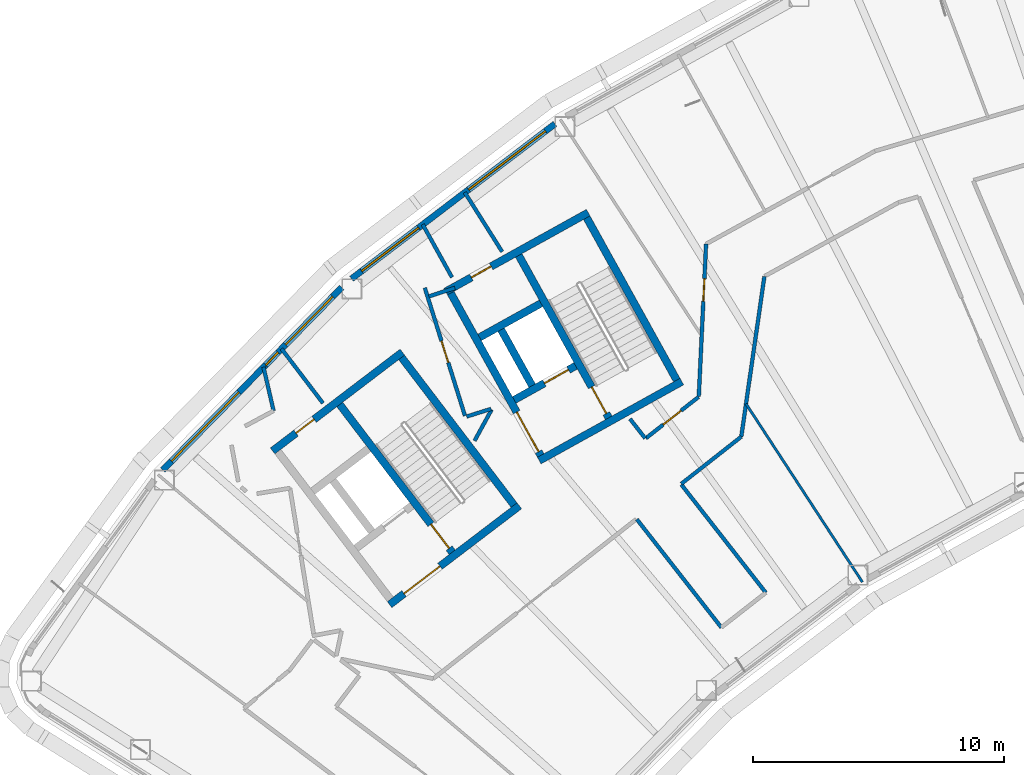
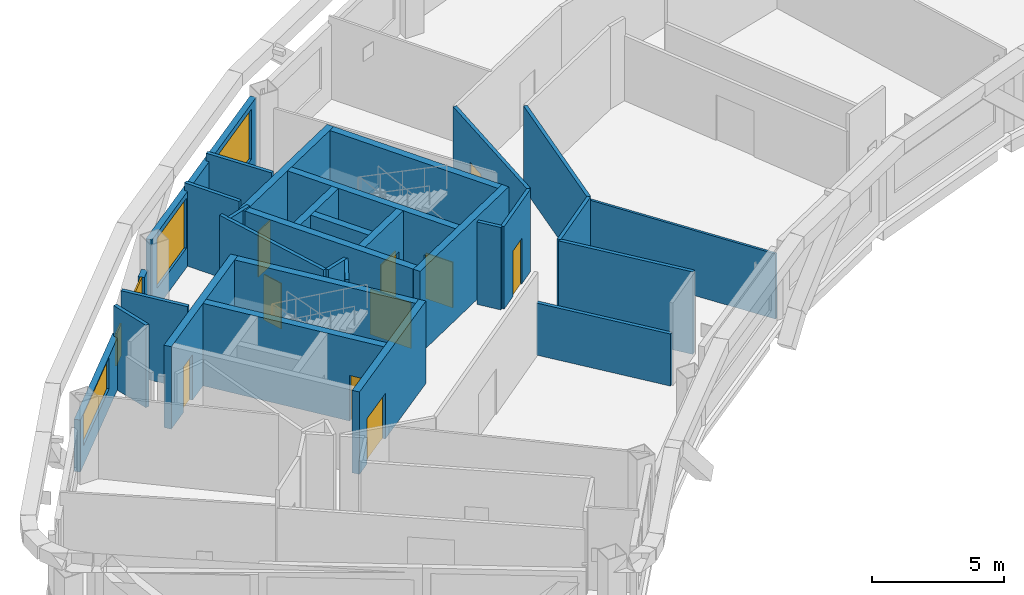
# One storey, part 6 of 21: 30 walls, 10 doors, 5 windows, 15 openings.
"""IFC4 building model written with IfcOpenShell, lengths in metres."""

from ifc_helpers import new_model, si_unit, direction, frame, frame_2d, origin, place, context, subcontext, project, spatial, rectangle, extrude, material, layer, layer_set, type_object, element, fill, save


model = new_model("IFC4")

# Units and contexts
model_context = context("Model", 3, precision=1e-05, world=origin(), true_north=direction((0.0, 1.0)))
body_context = subcontext(model_context, "Body", "Model", "MODEL_VIEW")
ifc_project = project(units=[si_unit("LENGTHUNIT", "METRE"), si_unit("AREAUNIT", "SQUARE_METRE"), si_unit("VOLUMEUNIT", "CUBIC_METRE"), si_unit("PLANEANGLEUNIT", "RADIAN"), si_unit("MASSUNIT", "GRAM", prefix="KILO")], contexts=[model_context])

# Site, building, storey
site_placement = place(None, origin())
site = spatial("IfcSite", under=ifc_project, at=site_placement, CompositionType="ELEMENT")
building_placement = place(site_placement, origin())
building = spatial("IfcBuilding", under=site, at=building_placement, Name="Tuul Gate Civic Tower", CompositionType="ELEMENT")
storey_placement = place(building_placement, frame((0.0, 0.0, 273.60009765625)))
storey = spatial("IfcBuildingStorey", under=building, at=storey_placement, Name="Level 62", CompositionType="ELEMENT", Elevation=273.60009765625)

# Wall, opening, door
ifc_material_1 = material(Name="Concrete C50/60", Category="concrete")
ifc_layer_1 = layer(ifc_material_1, 0.300048828125)
ifc_layer_set_1 = layer_set([ifc_layer_1], Name="Concrete C50/60")
wall_type_1 = type_object("IfcWallType", Name="Core wall C50/60", PredefinedType="SHEAR", material=ifc_layer_set_1)
wall_1_placement = place(storey_placement, frame((-31.19091796875, -13.669677734375, 0.0), z_axis=(0.0, 0.0, 1.0), x_axis=(-0.795606717756, -0.605813461934, 0.0)))
wall_1 = element("IfcWall", 1, at=wall_1_placement, inside=storey, type_object=wall_type_1, Name="Core wall", PredefinedType="SHEAR", context=body_context, shape_type="SweptSolid", body=[
    extrude(rectangle(XDim=6.5, YDim=0.300048828125, at=frame_2d((3.25, 0.0))), origin(), (0.0, 0.0, 1.0), 3.7998046875),
])
opening_1_placement = place(wall_1_placement, frame((3.97509765625, 0.0, 0.0)))
opening_1 = element("IfcOpeningElement", 2, at=opening_1_placement, cuts=wall_1, Name="Opening LB-W1-LOBBY-1", PredefinedType="OPENING", context=body_context, shape_type="SweptSolid", body=[
    extrude(rectangle(XDim=1.800048828125, YDim=2.10009765625, at=frame_2d((0.89990234375, 1.050048828125))), frame((0.0, 0.16015625, 0.0), z_axis=(0.0, -1.0, 0.0), x_axis=(1.0, 0.0, 0.0)), (0.0, 0.0, 1.0), 0.320068359375),
])
ifc_material_2 = material(Name="Steel", Category="steel")
door_type_1 = type_object("IfcDoorType", Name="Lobby door", OperationType="DOUBLE_DOOR_SINGLE_SWING", PredefinedType="DOOR", material=ifc_material_2)
door_1_placement = place(opening_1_placement, origin())
door_1 = element("IfcDoor", 3, at=door_1_placement, inside=storey, type_object=door_type_1, Name="Lobby door W1-LOBBY", OperationType="DOUBLE_DOOR_SINGLE_SWING", OverallHeight=2.10009765625, OverallWidth=1.800048828125, PredefinedType="DOOR", context=body_context, shape_type="SweptSolid", body=[
    extrude(rectangle(XDim=1.800048828125, YDim=2.10009765625, at=frame_2d((0.89990234375, 1.050048828125))), frame((0.0, 0.02490234375, 0.0), z_axis=(0.0, -1.0, 0.0), x_axis=(1.0, 0.0, 0.0)), (0.0, 0.0, 1.0), 0.050048828125),
])
fill(opening_1, door_1)

wall_2_placement = place(storey_placement, frame((-35.855224609375, -7.543212890625, 0.0), z_axis=(0.0, 0.0, 1.0), x_axis=(-0.79563860527, -0.605771582202, 0.0)))
wall_2 = element("IfcWall", 4, at=wall_2_placement, inside=storey, type_object=wall_type_1, Name="Core wall", PredefinedType="SHEAR", context=body_context, shape_type="SweptSolid", body=[
    extrude(rectangle(XDim=6.5, YDim=0.300048828125, at=frame_2d((3.25, 0.0))), origin(), (0.0, 0.0, 1.0), 3.7998046875),
])
opening_2_placement = place(wall_2_placement, frame((4.425048828125, 0.0, 0.0)))
opening_2 = element("IfcOpeningElement", 5, at=opening_2_placement, cuts=wall_2, Name="Opening W-D33", PredefinedType="OPENING", context=body_context, shape_type="SweptSolid", body=[
    extrude(rectangle(XDim=0.89990234375, YDim=2.10009765625, at=frame_2d((0.449951171875, 1.050048828125))), frame((0.0, 0.16015625, 0.0), z_axis=(0.0, -1.0, 0.0), x_axis=(1.0, 0.0, 0.0)), (0.0, 0.0, 1.0), 0.320068359375),
])
ifc_material_3 = material(Name="Timber door leaf", Category="wood")
door_type_2 = type_object("IfcDoorType", Name="Door D09", OperationType="NOTDEFINED", PredefinedType="DOOR", material=ifc_material_3)
door_2_placement = place(opening_2_placement, origin())
door_2 = element("IfcDoor", 6, at=door_2_placement, inside=storey, type_object=door_type_2, Name="Door W-D33", OperationType="SINGLE_SWING_LEFT", OverallHeight=2.10009765625, OverallWidth=0.89990234375, PredefinedType="DOOR", context=body_context, shape_type="SweptSolid", body=[
    extrude(rectangle(XDim=0.89990234375, YDim=2.10009765625, at=frame_2d((0.449951171875, 1.050048828125))), frame((0.0, 0.02490234375, 0.0), z_axis=(0.0, -1.0, 0.0), x_axis=(1.0, 0.0, 0.0)), (0.0, 0.0, 1.0), 0.050048828125),
])
fill(opening_2, door_2)

# Wall
wall_3_placement = place(storey_placement, frame((-31.401123046875, -13.64111328125, 0.0), z_axis=(0.0, 0.0, 1.0), x_axis=(-0.605769822278, 0.795639945213, 0.0)))
element("IfcWall", 7, at=wall_3_placement, inside=storey, type_object=wall_type_1, Name="Core wall", PredefinedType="SHEAR", context=body_context, shape_type="SweptSolid", body=[
    extrude(rectangle(XDim=7.39990234375, YDim=0.300048828125, at=frame_2d((3.699951171875, 0.0))), origin(), (0.0, 0.0, 1.0), 3.7998046875),
])

# Wall, opening, door
wall_4_placement = place(storey_placement, frame((-33.867431640625, -15.51904296875, 0.0), z_axis=(0.0, 0.0, 1.0), x_axis=(-0.605769822278, 0.795639945213, 0.0)))
wall_4 = element("IfcWall", 8, at=wall_4_placement, inside=storey, type_object=wall_type_1, Name="Core wall", PredefinedType="SHEAR", context=body_context, shape_type="SweptSolid", body=[
    extrude(rectangle(XDim=7.39990234375, YDim=0.300048828125, at=frame_2d((3.699951171875, 0.0))), origin(), (0.0, 0.0, 1.0), 3.7998046875),
])
opening_3_placement = place(wall_4_placement, frame((0.199951171875, 0.0, 0.0)))
opening_3 = element("IfcOpeningElement", 9, at=opening_3_placement, cuts=wall_4, Name="Opening SD-ST-1", PredefinedType="OPENING", context=body_context, shape_type="SweptSolid", body=[
    extrude(rectangle(XDim=1.199951171875, YDim=2.10009765625, at=frame_2d((0.60009765625, 1.050048828125))), frame((0.0, 0.16015625, 0.0), z_axis=(0.0, -1.0, 0.0), x_axis=(1.0, 0.0, 0.0)), (0.0, 0.0, 1.0), 0.320068359375),
])
ifc_material_4 = material(Name="Steel", Category="steel")
door_type_3 = type_object("IfcDoorType", Name="Stair door", OperationType="NOTDEFINED", PredefinedType="DOOR", material=ifc_material_4)
door_3_placement = place(opening_3_placement, origin())
door_3 = element("IfcDoor", 10, at=door_3_placement, inside=storey, type_object=door_type_3, Name="Stair door ST-1", OperationType="SINGLE_SWING_LEFT", OverallHeight=2.10009765625, OverallWidth=1.199951171875, PredefinedType="DOOR", context=body_context, shape_type="SweptSolid", body=[
    extrude(rectangle(XDim=1.199951171875, YDim=2.10009765625, at=frame_2d((0.60009765625, 1.050048828125))), frame((0.0, 0.02490234375, 0.0), z_axis=(0.0, -1.0, 0.0), x_axis=(1.0, 0.0, 0.0)), (0.0, 0.0, 1.0), 0.050048828125),
])
fill(opening_3, door_3)

# Wall
wall_5_placement = place(storey_placement, frame((-24.711669921875, -8.7158203125, 0.0), z_axis=(0.0, 0.0, 1.0), x_axis=(-0.874629909008, -0.484791215132, 0.0)))
element("IfcWall", 11, at=wall_5_placement, inside=storey, type_object=wall_type_1, Name="Core wall", PredefinedType="SHEAR", context=body_context, shape_type="SweptSolid", body=[
    extrude(rectangle(XDim=6.5, YDim=0.300048828125, at=frame_2d((3.25, 0.0))), origin(), (0.0, 0.0, 1.0), 3.7998046875),
])

# Wall, opening, door
wall_6_placement = place(storey_placement, frame((-28.94580078125, -8.090087890625, 0.0), z_axis=(0.0, 0.0, 1.0), x_axis=(-0.874629840737, -0.484791338301, 0.0)))
wall_6 = element("IfcWall", 12, at=wall_6_placement, inside=storey, type_object=wall_type_1, Name="Core wall", PredefinedType="SHEAR", context=body_context, shape_type="SweptSolid", body=[
    extrude(rectangle(XDim=2.800048828125, YDim=0.300048828125, at=frame_2d((1.39990234375, 0.0))), origin(), (0.0, 0.0, 1.0), 3.7998046875),
])
opening_4_placement = place(wall_6_placement, frame((0.324951171875, 0.0, 0.0)))
opening_4 = element("IfcOpeningElement", 13, at=opening_4_placement, cuts=wall_6, Name="Opening LD-FF-1", PredefinedType="OPENING", context=body_context, shape_type="SweptSolid", body=[
    extrude(rectangle(XDim=1.10009765625, YDim=2.10009765625, at=frame_2d((0.550048828125, 1.050048828125))), frame((0.0, 0.16015625, 0.0), z_axis=(0.0, -1.0, 0.0), x_axis=(1.0, 0.0, 0.0)), (0.0, 0.0, 1.0), 0.320068359375),
])
ifc_material_5 = material(Name="Stainless steel", Category="steel")
door_type_4 = type_object("IfcDoorType", Name="Landing door", OperationType="DOUBLE_DOOR_SLIDING", PredefinedType="DOOR", material=ifc_material_5)
door_4_placement = place(opening_4_placement, origin())
door_4 = element("IfcDoor", 14, at=door_4_placement, inside=storey, type_object=door_type_4, Name="Fire-fighting lift FF-1 landing door", OperationType="DOUBLE_DOOR_SLIDING", OverallHeight=2.10009765625, OverallWidth=1.10009765625, PredefinedType="DOOR", context=body_context, shape_type="SweptSolid", body=[
    extrude(rectangle(XDim=1.10009765625, YDim=2.10009765625, at=frame_2d((0.550048828125, 1.050048828125))), frame((0.0, 0.02490234375, 0.0), z_axis=(0.0, -1.0, 0.0), x_axis=(1.0, 0.0, 0.0)), (0.0, 0.0, 1.0), 0.050048828125),
])
fill(opening_4, door_4)

# Wall
wall_7_placement = place(storey_placement, frame((-30.327392578125, -5.59716796875, 0.0), z_axis=(0.0, 0.0, 1.0), x_axis=(-0.874629840737, -0.484791338301, 0.0)))
element("IfcWall", 15, at=wall_7_placement, inside=storey, type_object=wall_type_1, Name="Core wall", PredefinedType="SHEAR", context=body_context, shape_type="SweptSolid", body=[
    extrude(rectangle(XDim=2.800048828125, YDim=0.300048828125, at=frame_2d((1.39990234375, 0.0))), origin(), (0.0, 0.0, 1.0), 3.7998046875),
])

# Wall, opening, door
wall_8_placement = place(storey_placement, frame((-28.4443359375, -1.98095703125, 0.0), z_axis=(0.0, 0.0, 1.0), x_axis=(-0.874629909008, -0.484791215132, 0.0)))
wall_8 = element("IfcWall", 16, at=wall_8_placement, inside=storey, type_object=wall_type_1, Name="Core wall", PredefinedType="SHEAR", context=body_context, shape_type="SweptSolid", body=[
    extrude(rectangle(XDim=6.5, YDim=0.300048828125, at=frame_2d((3.25, 0.0))), origin(), (0.0, 0.0, 1.0), 3.7998046875),
])
opening_5_placement = place(wall_8_placement, frame((4.425048828125, 0.0, 0.0)))
opening_5 = element("IfcOpeningElement", 17, at=opening_5_placement, cuts=wall_8, Name="Opening W-D34", PredefinedType="OPENING", context=body_context, shape_type="SweptSolid", body=[
    extrude(rectangle(XDim=0.89990234375, YDim=2.10009765625, at=frame_2d((0.449951171875, 1.050048828125))), frame((0.0, 0.16015625, 0.0), z_axis=(0.0, -1.0, 0.0), x_axis=(1.0, 0.0, 0.0)), (0.0, 0.0, 1.0), 0.320068359375),
])
door_5_placement = place(opening_5_placement, origin())
door_5 = element("IfcDoor", 18, at=door_5_placement, inside=storey, type_object=door_type_2, Name="Door W-D34", OperationType="SINGLE_SWING_LEFT", OverallHeight=2.10009765625, OverallWidth=0.89990234375, PredefinedType="DOOR", context=body_context, shape_type="SweptSolid", body=[
    extrude(rectangle(XDim=0.89990234375, YDim=2.10009765625, at=frame_2d((0.449951171875, 1.050048828125))), frame((0.0, 0.02490234375, 0.0), z_axis=(0.0, -1.0, 0.0), x_axis=(1.0, 0.0, 0.0)), (0.0, 0.0, 1.0), 0.050048828125),
])
fill(opening_5, door_5)

# Wall
wall_9_placement = place(storey_placement, frame((-24.91552734375, -8.6572265625, 0.0), z_axis=(0.0, 0.0, 1.0), x_axis=(-0.484777133038, 0.874637714304, 0.0)))
element("IfcWall", 19, at=wall_9_placement, inside=storey, type_object=wall_type_1, Name="Core wall", PredefinedType="SHEAR", context=body_context, shape_type="SweptSolid", body=[
    extrude(rectangle(XDim=7.400146484375, YDim=0.300048828125, at=frame_2d((3.7001953125, 0.0))), origin(), (0.0, 0.0, 1.0), 3.7998046875),
])

# Wall, opening, door
wall_10_placement = place(storey_placement, frame((-27.626953125, -10.16015625, 0.0), z_axis=(0.0, 0.0, 1.0), x_axis=(-0.484751894226, 0.874651702704, 0.0)))
wall_10 = element("IfcWall", 20, at=wall_10_placement, inside=storey, type_object=wall_type_1, Name="Core wall", PredefinedType="SHEAR", context=body_context, shape_type="SweptSolid", body=[
    extrude(rectangle(XDim=7.39990234375, YDim=0.300048828125, at=frame_2d((3.699951171875, 0.0))), origin(), (0.0, 0.0, 1.0), 3.7998046875),
])
opening_6_placement = place(wall_10_placement, frame((0.199951171875, 0.0, 0.0)))
opening_6 = element("IfcOpeningElement", 21, at=opening_6_placement, cuts=wall_10, Name="Opening SD-ST-2", PredefinedType="OPENING", context=body_context, shape_type="SweptSolid", body=[
    extrude(rectangle(XDim=1.199951171875, YDim=2.10009765625, at=frame_2d((0.60009765625, 1.050048828125))), frame((0.0, 0.16015625, 0.0), z_axis=(0.0, -1.0, 0.0), x_axis=(1.0, 0.0, 0.0)), (0.0, 0.0, 1.0), 0.320068359375),
])
door_6_placement = place(opening_6_placement, origin())
door_6 = element("IfcDoor", 22, at=door_6_placement, inside=storey, type_object=door_type_3, Name="Stair door ST-2", OperationType="SINGLE_SWING_LEFT", OverallHeight=2.10009765625, OverallWidth=1.199951171875, PredefinedType="DOOR", context=body_context, shape_type="SweptSolid", body=[
    extrude(rectangle(XDim=1.199951171875, YDim=2.10009765625, at=frame_2d((0.60009765625, 1.050048828125))), frame((0.0, 0.02490234375, 0.0), z_axis=(0.0, -1.0, 0.0), x_axis=(1.0, 0.0, 0.0)), (0.0, 0.0, 1.0), 0.050048828125),
])
fill(opening_6, door_6)

# Wall
wall_11_placement = place(storey_placement, frame((-30.680419921875, -8.8798828125, 0.0), z_axis=(0.0, 0.0, 1.0), x_axis=(-0.484724115216, 0.874667097888, 0.0)))
element("IfcWall", 23, at=wall_11_placement, inside=storey, type_object=wall_type_1, Name="Core wall", PredefinedType="SHEAR", context=body_context, shape_type="SweptSolid", body=[
    extrude(rectangle(XDim=2.550048828125, YDim=0.300048828125, at=frame_2d((1.27490234375, 0.0))), origin(), (0.0, 0.0, 1.0), 3.7998046875),
])

# Wall, opening, door
wall_12_placement = place(storey_placement, frame((-30.33837890625, -11.6630859375, 0.0), z_axis=(0.0, 0.0, 1.0), x_axis=(-0.484751894226, 0.874651702704, 0.0)))
wall_12 = element("IfcWall", 24, at=wall_12_placement, inside=storey, type_object=wall_type_1, Name="Core wall", PredefinedType="SHEAR", context=body_context, shape_type="SweptSolid", body=[
    extrude(rectangle(XDim=7.39990234375, YDim=0.300048828125, at=frame_2d((3.699951171875, 0.0))), origin(), (0.0, 0.0, 1.0), 3.7998046875),
])
opening_7_placement = place(wall_12_placement, frame((0.175048828125, 0.0, 0.0)))
opening_7 = element("IfcOpeningElement", 25, at=opening_7_placement, cuts=wall_12, Name="Opening LB-W2-FLOBBY-1", PredefinedType="OPENING", context=body_context, shape_type="SweptSolid", body=[
    extrude(rectangle(XDim=1.800048828125, YDim=2.10009765625, at=frame_2d((0.89990234375, 1.050048828125))), frame((0.0, 0.16015625, 0.0), z_axis=(0.0, -1.0, 0.0), x_axis=(1.0, 0.0, 0.0)), (0.0, 0.0, 1.0), 0.320068359375),
])
door_7_placement = place(opening_7_placement, frame((1.800048828125, 0.0, 0.0), z_axis=(0.0, 0.0, 1.0), x_axis=(-1.0, 0.0, 0.0)))
door_7 = element("IfcDoor", 26, at=door_7_placement, inside=storey, type_object=door_type_1, Name="Lobby door W2-FLOBBY", OperationType="DOUBLE_DOOR_SINGLE_SWING", OverallHeight=2.10009765625, OverallWidth=1.800048828125, PredefinedType="DOOR", context=body_context, shape_type="SweptSolid", body=[
    extrude(rectangle(XDim=1.800048828125, YDim=2.10009765625, at=frame_2d((0.900146484375, 1.050048828125))), frame((0.0, 0.02490234375, 0.0), z_axis=(0.0, -1.0, 0.0), x_axis=(1.0, 0.0, 0.0)), (0.0, 0.0, 1.0), 0.050048828125),
])
fill(opening_7, door_7)

# Walls
ifc_material_6 = material(Name="Gypsum board partition")
ifc_layer_2 = layer(ifc_material_6, 0.14990234375)
ifc_layer_set_2 = layer_set([ifc_layer_2], Name="Gypsum board partition")
wall_type_2 = type_object("IfcWallType", Name="Corridor wall P150", PredefinedType="PARTITIONING", material=ifc_layer_set_2)
wall_13_placement = place(storey_placement, frame((-41.389404296875, -8.13916015625, 0.0), z_axis=(0.0, 0.0, 1.0), x_axis=(0.224829597414, -0.974398097354, 0.0)))
element("IfcWall", 27, at=wall_13_placement, inside=storey, type_object=wall_type_2, Name="p003", PredefinedType="PARTITIONING", context=body_context, shape_type="SweptSolid", body=[
    extrude(rectangle(XDim=1.78857421875, YDim=0.14990234375, at=frame_2d((0.894287109375, 0.0))), origin(), (0.0, 0.0, 1.0), 3.7998046875),
])
wall_14_placement = place(storey_placement, frame((-34.794189453125, -5.319580078125, 0.0), z_axis=(0.0, 0.0, 1.0), x_axis=(0.95087756527, 0.30956720735, 0.0)))
element("IfcWall", 28, at=wall_14_placement, inside=storey, type_object=wall_type_2, Name="p037", PredefinedType="PARTITIONING", context=body_context, shape_type="SweptSolid", body=[
    extrude(rectangle(XDim=1.08984375, YDim=0.14990234375, at=frame_2d((0.544921875, 0.0))), origin(), (0.0, 0.0, 1.0), 3.7998046875),
])

# Wall, opening, door
wall_15_placement = place(storey_placement, frame((-24.03662109375, -9.312744140625, 0.0), z_axis=(0.0, 0.0, 1.0), x_axis=(0.047761393896, 0.998858773428, 0.0)))
wall_15 = element("IfcWall", 29, at=wall_15_placement, inside=storey, type_object=wall_type_2, Name="p041", PredefinedType="PARTITIONING", context=body_context, shape_type="SweptSolid", body=[
    extrude(rectangle(XDim=6.087890625, YDim=0.14990234375, at=frame_2d((3.0439453125, 0.0))), origin(), (0.0, 0.0, 1.0), 3.7998046875),
])
opening_8_placement = place(wall_15_placement, frame((3.803955078125, 0.0, 0.0)))
opening_8 = element("IfcOpeningElement", 30, at=opening_8_placement, cuts=wall_15, Name="Opening W-D15", PredefinedType="OPENING", context=body_context, shape_type="SweptSolid", body=[
    extrude(rectangle(XDim=0.89990234375, YDim=2.10009765625, at=frame_2d((0.449951171875, 1.050048828125))), frame((0.0, 0.0849609375, 0.0), z_axis=(0.0, -1.0, 0.0), x_axis=(1.0, 0.0, 0.0)), (0.0, 0.0, 1.0), 0.169921875),
])
door_8_placement = place(opening_8_placement, origin())
door_8 = element("IfcDoor", 31, at=door_8_placement, inside=storey, type_object=door_type_2, Name="Door W-D15", OperationType="SINGLE_SWING_LEFT", OverallHeight=2.10009765625, OverallWidth=0.89990234375, PredefinedType="DOOR", context=body_context, shape_type="SweptSolid", body=[
    extrude(rectangle(XDim=0.89990234375, YDim=2.10009765625, at=frame_2d((0.449951171875, 1.050048828125))), frame((0.0, 0.02490234375, 0.0), z_axis=(0.0, -1.0, 0.0), x_axis=(1.0, 0.0, 0.0)), (0.0, 0.0, 1.0), 0.050048828125),
])
fill(opening_8, door_8)

wall_16_placement = place(storey_placement, frame((-26.147705078125, -10.977294921875, 0.0), z_axis=(0.0, 0.0, 1.0), x_axis=(0.786910828548, 0.617066728899, 0.0)))
wall_16 = element("IfcWall", 32, at=wall_16_placement, inside=storey, type_object=wall_type_2, Name="p042", PredefinedType="PARTITIONING", context=body_context, shape_type="SweptSolid", body=[
    extrude(rectangle(XDim=2.672119140625, YDim=0.14990234375, at=frame_2d((1.3359375, 0.0))), origin(), (0.0, 0.0, 1.0), 3.7998046875),
])
opening_9_placement = place(wall_16_placement, frame((0.88623046875, 0.0, 0.0)))
opening_9 = element("IfcOpeningElement", 33, at=opening_9_placement, cuts=wall_16, Name="Opening W-D16", PredefinedType="OPENING", context=body_context, shape_type="SweptSolid", body=[
    extrude(rectangle(XDim=0.89990234375, YDim=2.10009765625, at=frame_2d((0.449951171875, 1.050048828125))), frame((0.0, 0.0849609375, 0.0), z_axis=(0.0, -1.0, 0.0), x_axis=(1.0, 0.0, 0.0)), (0.0, 0.0, 1.0), 0.169921875),
])
door_9_placement = place(opening_9_placement, origin())
door_9 = element("IfcDoor", 34, at=door_9_placement, inside=storey, type_object=door_type_2, Name="Door W-D16", OperationType="SINGLE_SWING_LEFT", OverallHeight=2.10009765625, OverallWidth=0.89990234375, PredefinedType="DOOR", context=body_context, shape_type="SweptSolid", body=[
    extrude(rectangle(XDim=0.89990234375, YDim=2.10009765625, at=frame_2d((0.449951171875, 1.050048828125))), frame((0.0, 0.02490234375, 0.0), z_axis=(0.0, -1.0, 0.0), x_axis=(1.0, 0.0, 0.0)), (0.0, 0.0, 1.0), 0.050048828125),
])
fill(opening_9, door_9)

# Walls
wall_17_placement = place(storey_placement, frame((-26.77734375, -10.20458984375, 0.0), z_axis=(0.0, 0.0, 1.0), x_axis=(0.6155324018, -0.788111579875, 0.0)))
element("IfcWall", 35, at=wall_17_placement, inside=storey, type_object=wall_type_2, Name="p043", PredefinedType="PARTITIONING", context=body_context, shape_type="SweptSolid", body=[
    extrude(rectangle(XDim=0.97607421875, YDim=0.14990234375, at=frame_2d((0.488037109375, 0.0))), origin(), (0.0, 0.0, 1.0), 3.7998046875),
])
wall_18_placement = place(storey_placement, frame((-24.734619140625, -12.819091796875, 0.0), z_axis=(0.0, 0.0, 1.0), x_axis=(0.615656160531, -0.788014905951, 0.0)))
element("IfcWall", 36, at=wall_18_placement, inside=storey, type_object=wall_type_2, Name="p044", PredefinedType="PARTITIONING", context=body_context, shape_type="SweptSolid", body=[
    extrude(rectangle(XDim=5.47314453125, YDim=0.14990234375, at=frame_2d((2.736572265625, 0.0))), origin(), (0.0, 0.0, 1.0), 3.7998046875),
])
wall_19_placement = place(storey_placement, frame((-33.365478515625, -1.1748046875, 0.0), z_axis=(0.0, 0.0, 1.0), x_axis=(0.533065798125, -0.846073788076, 0.0)))
element("IfcWall", 37, at=wall_19_placement, inside=storey, type_object=wall_type_2, Name="p045", PredefinedType="PARTITIONING", context=body_context, shape_type="SweptSolid", body=[
    extrude(rectangle(XDim=2.794677734375, YDim=0.14990234375, at=frame_2d((1.3974609375, 0.0))), origin(), (0.0, 0.0, 1.0), 3.7998046875),
])
wall_20_placement = place(storey_placement, frame((-35.04296875, -2.451904296875, 0.0), z_axis=(0.0, 0.0, 1.0), x_axis=(0.484714349253, -0.87467250993, 0.0)))
element("IfcWall", 38, at=wall_20_placement, inside=storey, type_object=wall_type_2, Name="p046", PredefinedType="PARTITIONING", context=body_context, shape_type="SweptSolid", body=[
    extrude(rectangle(XDim=2.41162109375, YDim=0.14990234375, at=frame_2d((1.205810546875, 0.0))), origin(), (0.0, 0.0, 1.0), 3.7998046875),
])

# Wall, opening, door
wall_21_placement = place(storey_placement, frame((-34.95849609375, -4.9794921875, 0.0), z_axis=(0.0, 0.0, 1.0), x_axis=(0.299486852474, -0.954100427206, 0.0)))
wall_21 = element("IfcWall", 39, at=wall_21_placement, inside=storey, type_object=wall_type_2, Name="p047", PredefinedType="PARTITIONING", context=body_context, shape_type="SweptSolid", body=[
    extrude(rectangle(XDim=5.344482421875, YDim=0.14990234375, at=frame_2d((2.67236328125, 0.0))), origin(), (0.0, 0.0, 1.0), 3.7998046875),
])
opening_10_placement = place(wall_21_placement, frame((2.22216796875, 0.0, 0.0)))
opening_10 = element("IfcOpeningElement", 40, at=opening_10_placement, cuts=wall_21, Name="Opening W-D17", PredefinedType="OPENING", context=body_context, shape_type="SweptSolid", body=[
    extrude(rectangle(XDim=0.89990234375, YDim=2.10009765625, at=frame_2d((0.449951171875, 1.050048828125))), frame((0.0, 0.0849609375, 0.0), z_axis=(0.0, -1.0, 0.0), x_axis=(1.0, 0.0, 0.0)), (0.0, 0.0, 1.0), 0.169921875),
])
door_10_placement = place(opening_10_placement, frame((0.89990234375, 0.0, 0.0), z_axis=(0.0, 0.0, 1.0), x_axis=(-1.0, 0.0, 0.0)))
door_10 = element("IfcDoor", 41, at=door_10_placement, inside=storey, type_object=door_type_2, Name="Door W-D17", OperationType="SINGLE_SWING_LEFT", OverallHeight=2.10009765625, OverallWidth=0.89990234375, PredefinedType="DOOR", context=body_context, shape_type="SweptSolid", body=[
    extrude(rectangle(XDim=0.89990234375, YDim=2.10009765625, at=frame_2d((0.449951171875, 1.050048828125))), frame((0.0, 0.02490234375, 0.0), z_axis=(0.0, -1.0, 0.0), x_axis=(1.0, 0.0, 0.0)), (0.0, 0.0, 1.0), 0.050048828125),
])
fill(opening_10, door_10)

# Walls
wall_22_placement = place(storey_placement, frame((-33.294921875, -10.111572265625, 0.0), z_axis=(0.0, 0.0, 1.0), x_axis=(0.954097025147, 0.299497690485, 0.0)))
element("IfcWall", 42, at=wall_22_placement, inside=storey, type_object=wall_type_2, Name="p048", PredefinedType="PARTITIONING", context=body_context, shape_type="SweptSolid", body=[
    extrude(rectangle(XDim=1.02294921875, YDim=0.14990234375, at=frame_2d((0.511474609375, 0.0))), origin(), (0.0, 0.0, 1.0), 3.7998046875),
])
wall_23_placement = place(storey_placement, frame((-32.9755859375, -11.076904296875, 0.0), z_axis=(0.0, 0.0, 1.0), x_axis=(0.479986398448, 0.87727592997, 0.0)))
element("IfcWall", 43, at=wall_23_placement, inside=storey, type_object=wall_type_2, Name="p049", PredefinedType="PARTITIONING", context=body_context, shape_type="SweptSolid", body=[
    extrude(rectangle(XDim=1.4169921875, YDim=0.14990234375, at=frame_2d((0.70849609375, 0.0))), origin(), (0.0, 0.0, 1.0), 3.7998046875),
])
wall_24_placement = place(storey_placement, frame((-40.67236328125, -7.407470703125, 0.0), z_axis=(0.0, 0.0, 1.0), x_axis=(0.605902863311, -0.795538635285, 0.0)))
element("IfcWall", 44, at=wall_24_placement, inside=storey, type_object=wall_type_2, Name="p050", PredefinedType="PARTITIONING", context=body_context, shape_type="SweptSolid", body=[
    extrude(rectangle(XDim=2.7255859375, YDim=0.14990234375, at=frame_2d((1.36279296875, 0.0))), origin(), (0.0, 0.0, 1.0), 3.7998046875),
])
wall_25_placement = place(storey_placement, frame((-22.34228515625, -10.913818359375, 0.0), z_axis=(0.0, 0.0, 1.0), x_axis=(0.142798133898, 0.989751834025, 0.0)))
element("IfcWall", 45, at=wall_25_placement, inside=storey, type_object=wall_type_2, Name="p090", PredefinedType="PARTITIONING", context=body_context, shape_type="SweptSolid", body=[
    extrude(rectangle(XDim=6.4541015625, YDim=0.14990234375, at=frame_2d((3.22705078125, 0.0))), origin(), (0.0, 0.0, 1.0), 3.7998046875),
])
wall_26_placement = place(storey_placement, frame((-24.731201171875, -12.790283203125, 0.0), z_axis=(0.0, 0.0, 1.0), x_axis=(0.786404784197, 0.6177115147, 0.0)))
element("IfcWall", 46, at=wall_26_placement, inside=storey, type_object=wall_type_2, Name="p094", PredefinedType="PARTITIONING", context=body_context, shape_type="SweptSolid", body=[
    extrude(rectangle(XDim=3.037841796875, YDim=0.14990234375, at=frame_2d((1.51904296875, 0.0))), origin(), (0.0, 0.0, 1.0), 3.7998046875),
])
ifc_material_7 = material(Name="Gypsum board partition")
ifc_layer_3 = layer(ifc_material_7, 0.14990234375)
ifc_layer_set_3 = layer_set([ifc_layer_3], Name="Gypsum board partition")
wall_type_3 = type_object("IfcWallType", Name="Corridor wall P150 2400 HIGH", PredefinedType="PARTITIONING", material=ifc_layer_set_3)
wall_27_placement = place(storey_placement, frame((-26.50390625, -14.208984375, 0.0), z_axis=(0.0, 0.0, 1.0), x_axis=(0.615651840912, -0.788018280741, 0.0)))
element("IfcWall", 47, at=wall_27_placement, inside=storey, type_object=wall_type_3, Name="p095", PredefinedType="PARTITIONING", context=body_context, shape_type="SweptSolid", body=[
    extrude(rectangle(XDim=5.46728515625, YDim=0.14990234375, at=frame_2d((2.733642578125, 0.0))), origin(), (0.0, 0.0, 1.0), 2.39990234375),
])

# Wall, openings, windows
ifc_material_8 = material(Name="Precast concrete C40/50", Category="concrete")
ifc_layer_4 = layer(ifc_material_8, 0.25)
ifc_layer_set_4 = layer_set([ifc_layer_4], Name="Precast concrete C40/50")
wall_type_4 = type_object("IfcWallType", Name="External wall", PredefinedType="STANDARD", material=ifc_layer_set_4)
wall_28_placement = place(storey_placement, frame((-29.77099609375, 1.555419921875, 0.0), z_axis=(0.0, 0.0, 1.0), x_axis=(-0.795654969417, -0.605750088437, 0.0)))
wall_28 = element("IfcWall", 48, at=wall_28_placement, inside=storey, type_object=wall_type_4, Name="External wall", PredefinedType="STANDARD", context=body_context, shape_type="SweptSolid", body=[
    extrude(rectangle(XDim=10.189697265625, YDim=0.25, at=frame_2d((5.0947265625, 0.0))), origin(), (0.0, 0.0, 1.0), 3.449951171875),
])
opening_11_placement = place(wall_28_placement, frame((0.47314453125, 0.0, 0.89990234375)))
opening_11 = element("IfcOpeningElement", 49, at=opening_11_placement, cuts=wall_28, Name="Opening W22", PredefinedType="OPENING", context=body_context, shape_type="SweptSolid", body=[
    extrude(rectangle(XDim=3.85009765625, YDim=2.300048828125, at=frame_2d((1.925048828125, 1.14990234375))), frame((0.0, 0.135009765625, 0.0), z_axis=(0.0, -1.0, 0.0), x_axis=(1.0, 0.0, 0.0)), (0.0, 0.0, 1.0), 0.27001953125),
])
opening_12_placement = place(wall_28_placement, frame((6.8330078125, 0.0, 0.89990234375)))
opening_12 = element("IfcOpeningElement", 50, at=opening_12_placement, cuts=wall_28, Name="Opening W68", PredefinedType="OPENING", context=body_context, shape_type="SweptSolid", body=[
    extrude(rectangle(XDim=2.85009765625, YDim=2.300048828125, at=frame_2d((1.425048828125, 1.14990234375))), frame((0.0, 0.135009765625, 0.0), z_axis=(0.0, -1.0, 0.0), x_axis=(1.0, 0.0, 0.0)), (0.0, 0.0, 1.0), 0.27001953125),
])
ifc_material_9 = material(Name="Glass", Category="glass")
window_type_1 = type_object("IfcWindowType", Name="Window 2850 x 2300", PartitioningType="SINGLE_PANEL", PredefinedType="WINDOW", material=ifc_material_9)
window_1_placement = place(opening_12_placement, origin())
window_1 = element("IfcWindow", 51, at=window_1_placement, inside=storey, type_object=window_type_1, Name="Window", OverallHeight=2.300048828125, OverallWidth=2.85009765625, PartitioningType="SINGLE_PANEL", PredefinedType="WINDOW", context=body_context, shape_type="SweptSolid", body=[
    extrude(rectangle(XDim=2.85009765625, YDim=2.300048828125, at=frame_2d((1.425048828125, 1.14990234375))), frame((0.0, 0.030029296875, 0.0), z_axis=(0.0, -1.0, 0.0), x_axis=(1.0, 0.0, 0.0)), (0.0, 0.0, 1.0), 0.06005859375),
])
fill(opening_12, window_1)
ifc_material_10 = material(Name="Glass", Category="glass")
window_type_2 = type_object("IfcWindowType", Name="Window W22 3850 x 2300", PartitioningType="SINGLE_PANEL", PredefinedType="WINDOW", material=ifc_material_10)
window_2_placement = place(opening_11_placement, origin())
window_2 = element("IfcWindow", 52, at=window_2_placement, inside=storey, type_object=window_type_2, Name="Window", OverallHeight=2.300048828125, OverallWidth=3.85009765625, PartitioningType="SINGLE_PANEL", PredefinedType="WINDOW", context=body_context, shape_type="SweptSolid", body=[
    extrude(rectangle(XDim=3.85009765625, YDim=2.300048828125, at=frame_2d((1.925048828125, 1.14990234375))), frame((0.0, 0.030029296875, 0.0), z_axis=(0.0, -1.0, 0.0), x_axis=(1.0, 0.0, 0.0)), (0.0, 0.0, 1.0), 0.06005859375),
])
fill(opening_11, window_2)

ifc_material_11 = material(Name="Precast concrete C40/50", Category="concrete")
ifc_layer_5 = layer(ifc_material_11, 0.25)
ifc_layer_set_5 = layer_set([ifc_layer_5], Name="Precast concrete C40/50")
wall_type_5 = type_object("IfcWallType", Name="External wall 2400 HIGH", PredefinedType="STANDARD", material=ifc_layer_set_5)
wall_29_placement = place(storey_placement, frame((-38.26708984375, -4.960693359375, 0.0), z_axis=(0.0, 0.0, 1.0), x_axis=(-0.699995514974, -0.714147239031, 0.0)))
wall_29 = element("IfcWall", 53, at=wall_29_placement, inside=storey, type_object=wall_type_5, Name="External wall", PredefinedType="STANDARD", context=body_context, shape_type="SweptSolid", body=[
    extrude(rectangle(XDim=10.19580078125, YDim=0.25, at=frame_2d((5.097900390625, 0.0))), origin(), (0.0, 0.0, 1.0), 2.39990234375),
])
opening_13_placement = place(wall_29_placement, frame((5.85888671875, 0.0, 0.89990234375)))
opening_13 = element("IfcOpeningElement", 54, at=opening_13_placement, cuts=wall_29, Name="Opening W103", PredefinedType="OPENING", context=body_context, shape_type="SweptSolid", body=[
    extrude(rectangle(XDim=3.85009765625, YDim=1.449951171875, at=frame_2d((1.925048828125, 0.72509765625))), frame((0.0, 0.135009765625, 0.0), z_axis=(0.0, -1.0, 0.0), x_axis=(1.0, 0.0, 0.0)), (0.0, 0.0, 1.0), 0.27001953125),
])
opening_14_placement = place(wall_29_placement, frame((0.50927734375, 0.0, 0.89990234375)))
opening_14 = element("IfcOpeningElement", 55, at=opening_14_placement, cuts=wall_29, Name="Opening W160", PredefinedType="OPENING", context=body_context, shape_type="SweptSolid", body=[
    extrude(rectangle(XDim=2.699951171875, YDim=1.5, at=frame_2d((1.35009765625, 0.75))), frame((0.0, 0.135009765625, 0.0), z_axis=(0.0, -1.0, 0.0), x_axis=(1.0, 0.0, 0.0)), (0.0, 0.0, 1.0), 0.27001953125),
])
opening_15_placement = place(wall_29_placement, frame((3.63427734375, 0.0, 0.89990234375)))
opening_15 = element("IfcOpeningElement", 56, at=opening_15_placement, cuts=wall_29, Name="Opening W161", PredefinedType="OPENING", context=body_context, shape_type="SweptSolid", body=[
    extrude(rectangle(XDim=0.699951171875, YDim=1.5, at=frame_2d((0.35009765625, 0.75))), frame((0.0, 0.135009765625, 0.0), z_axis=(0.0, -1.0, 0.0), x_axis=(1.0, 0.0, 0.0)), (0.0, 0.0, 1.0), 0.27001953125),
])
ifc_material_12 = material(Name="Glass", Category="glass")
window_type_3 = type_object("IfcWindowType", Name="Window 2700 x 1500", PartitioningType="SINGLE_PANEL", PredefinedType="WINDOW", material=ifc_material_12)
window_3_placement = place(opening_14_placement, origin())
window_3 = element("IfcWindow", 57, at=window_3_placement, inside=storey, type_object=window_type_3, Name="Window", OverallHeight=1.5, OverallWidth=2.699951171875, PartitioningType="SINGLE_PANEL", PredefinedType="WINDOW", context=body_context, shape_type="SweptSolid", body=[
    extrude(rectangle(XDim=2.699951171875, YDim=1.5, at=frame_2d((1.35009765625, 0.75))), frame((0.0, 0.030029296875, 0.0), z_axis=(0.0, -1.0, 0.0), x_axis=(1.0, 0.0, 0.0)), (0.0, 0.0, 1.0), 0.06005859375),
])
fill(opening_14, window_3)
ifc_material_13 = material(Name="Glass", Category="glass")
window_type_4 = type_object("IfcWindowType", Name="Window 700 x 1500", PartitioningType="SINGLE_PANEL", PredefinedType="WINDOW", material=ifc_material_13)
window_4_placement = place(opening_15_placement, origin())
window_4 = element("IfcWindow", 58, at=window_4_placement, inside=storey, type_object=window_type_4, Name="Window", OverallHeight=1.5, OverallWidth=0.699951171875, PartitioningType="SINGLE_PANEL", PredefinedType="WINDOW", context=body_context, shape_type="SweptSolid", body=[
    extrude(rectangle(XDim=0.699951171875, YDim=1.5, at=frame_2d((0.35009765625, 0.75))), frame((0.0, 0.030029296875, 0.0), z_axis=(0.0, -1.0, 0.0), x_axis=(1.0, 0.0, 0.0)), (0.0, 0.0, 1.0), 0.06005859375),
])
fill(opening_15, window_4)
ifc_material_14 = material(Name="Glass", Category="glass")
window_type_5 = type_object("IfcWindowType", Name="Window W103 3850 x 1450", PartitioningType="SINGLE_PANEL", PredefinedType="WINDOW", material=ifc_material_14)
window_5_placement = place(opening_13_placement, origin())
window_5 = element("IfcWindow", 59, at=window_5_placement, inside=storey, type_object=window_type_5, Name="Window", OverallHeight=1.449951171875, OverallWidth=3.85009765625, PartitioningType="SINGLE_PANEL", PredefinedType="WINDOW", context=body_context, shape_type="SweptSolid", body=[
    extrude(rectangle(XDim=3.85009765625, YDim=1.449951171875, at=frame_2d((1.925048828125, 0.72509765625))), frame((0.0, 0.030029296875, 0.0), z_axis=(0.0, -1.0, 0.0), x_axis=(1.0, 0.0, 0.0)), (0.0, 0.0, 1.0), 0.06005859375),
])
fill(opening_13, window_5)

# Wall
ifc_material_15 = material(Name="Gypsum board partition")
ifc_layer_6 = layer(ifc_material_15, 0.10009765625)
ifc_layer_set_6 = layer_set([ifc_layer_6], Name="Gypsum board partition")
wall_type_6 = type_object("IfcWallType", Name="Partition P100 3000 HIGH", PredefinedType="PARTITIONING", material=ifc_layer_set_6)
wall_30_placement = place(storey_placement, frame((-22.1533203125, -9.60302734375, 0.0), z_axis=(0.0, 0.0, 1.0), x_axis=(0.546732911578, -0.837307066373, 0.0)))
element("IfcWall", 60, at=wall_30_placement, inside=storey, type_object=wall_type_6, Name="p040", PredefinedType="PARTITIONING", context=body_context, shape_type="SweptSolid", body=[
    extrude(rectangle(XDim=8.484375, YDim=0.10009765625, at=frame_2d((4.2421875, 0.0))), origin(), (0.0, 0.0, 1.0), 3.0),
])

save(model, "model.ifc")
